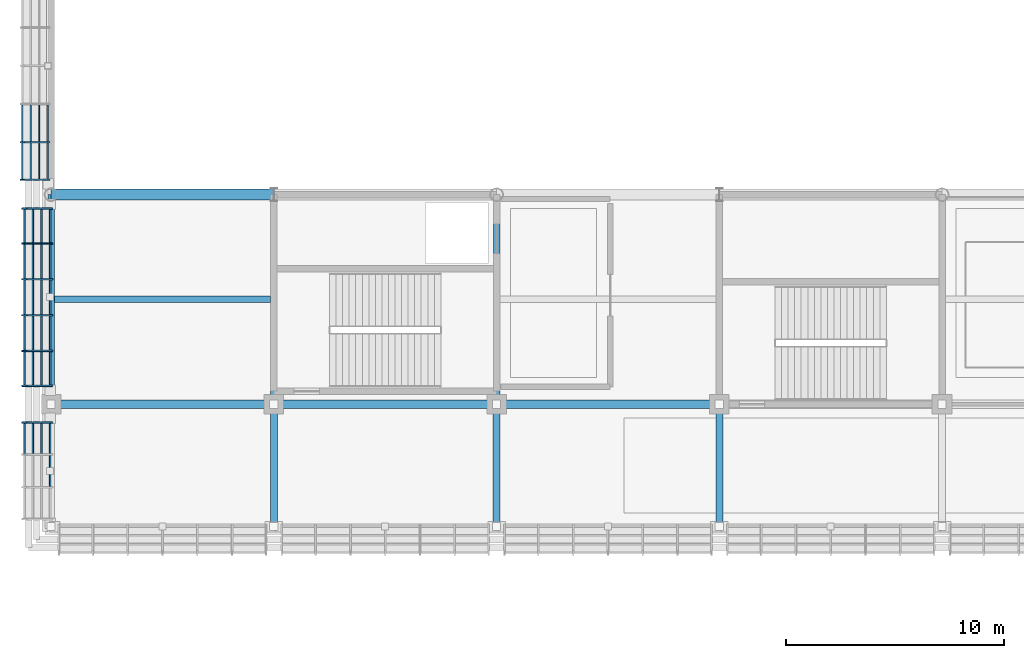
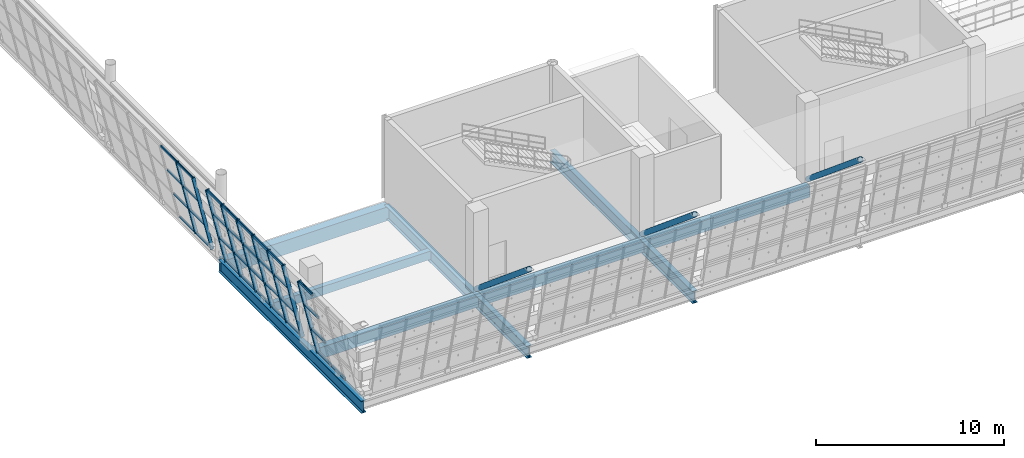
# One storey, part 23 of 175: 45 members, 8 beams, 3 elements without a shape of their own.
"""IFC4 building model written with IfcOpenShell, lengths in metres."""

from ifc_helpers import new_model, si_unit, direction, frame, origin, origin_2d, place, context, subcontext, project, spatial, rectangle, hollow_rectangle, hollow_circle, i_section, extrude, material, material_profile, profile_set, type_object, element, aggregate, save


model = new_model("IFC4")

# Units and contexts
model_context = context("Model", 3, precision=1e-05, world=origin(), true_north=direction((0.0, 1.0)))
body_context = subcontext(model_context, "Body", "Model", "MODEL_VIEW")
ifc_project = project(units=[si_unit("LENGTHUNIT", "METRE"), si_unit("AREAUNIT", "SQUARE_METRE"), si_unit("VOLUMEUNIT", "CUBIC_METRE"), si_unit("PLANEANGLEUNIT", "RADIAN"), si_unit("MASSUNIT", "GRAM", prefix="KILO")], contexts=[model_context])

# Site, building, storey
site_placement = place(None, origin())
site = spatial("IfcSite", under=ifc_project, at=site_placement, CompositionType="ELEMENT")
building_placement = place(site_placement, origin())
building = spatial("IfcBuilding", under=site, at=building_placement, Name="Brelvane Convention Centre", CompositionType="ELEMENT")
storey_placement = place(building_placement, frame((0.0, 0.0, 5.39990234375)))
storey = spatial("IfcBuildingStorey", under=building, at=storey_placement, Name="L01", CompositionType="ELEMENT", Elevation=5.39990234375)

# Curtain wall, member
ifc_material_1 = material(Name="Anodised Aluminium Alloy 6063-T6", Category="aluminium")
curtain_wall_type = type_object("IfcCurtainWallType", Name="Curtain Wall CW-HULL-S", PredefinedType="USERDEFINED", material=ifc_material_1)
curtain_wall_1_placement = place(storey_placement, origin())
curtain_wall_1 = element("IfcCurtainWall", 1, at=curtain_wall_1_placement, inside=storey, type_object=curtain_wall_type, Name="Curtain Wall CW-HULL-S L01-HULL-W-GAL-L01-A", ObjectType="UNITISED", PredefinedType="USERDEFINED")
ifc_material_2 = material(Name="Anodised Aluminium Alloy 6063-T6", Category="aluminium")
ifc_material_profile_1 = material_profile(ifc_material_2, hollow_rectangle(XDim=0.080078125, YDim=0.239990234375, WallThickness=0.006103515625, InnerFilletRadius=0.006103515625, OuterFilletRadius=0.011962890625, at=origin_2d()), Name="ALU-M 240x80x6.0")
ifc_profile_set_1 = profile_set([ifc_material_profile_1], Name="Anodised Aluminium Alloy 6063-T6")
member_type_1 = type_object("IfcMemberType", Name="Curtain Mullion CW-M1", PredefinedType="MULLION", material=ifc_profile_set_1)
member_1_placement = place(storey_placement, frame((-0.0400390625, 18.360107421875, 0.0), z_axis=(-0.228329922226, 0.0, 0.973583815917), x_axis=(0.0, -1.0, 0.0)))
member_1 = element("IfcMember", 2, at=member_1_placement, type_object=member_type_1, Name="CW-HULL-S mullion 4", PredefinedType="MULLION", context=body_context, shape_type="SweptSolid", body=[
    extrude(hollow_rectangle(XDim=0.080078125, YDim=0.239990234375, WallThickness=0.006103515625, InnerFilletRadius=0.006103515625, OuterFilletRadius=0.011962890625, at=origin_2d()), origin(), (0.0, 0.0, 1.0), 5.218017578125),
])

# Curtain wall, members
curtain_wall_2_placement = place(storey_placement, origin())
curtain_wall_2 = element("IfcCurtainWall", 3, at=curtain_wall_2_placement, inside=storey, type_object=curtain_wall_type, Name="Curtain Wall CW-HULL-S L01-HULL-W-GAL-L01-B", ObjectType="UNITISED", PredefinedType="USERDEFINED")
member_2_placement = place(storey_placement, frame((-0.0400390625, 20.0400390625, 0.0), z_axis=(-0.228329922226, 0.0, 0.973583815917), x_axis=(0.0, -1.0, 0.0)))
member_2 = element("IfcMember", 4, at=member_2_placement, type_object=member_type_1, Name="CW-HULL-S mullion 1", PredefinedType="MULLION", context=body_context, shape_type="SweptSolid", body=[
    extrude(hollow_rectangle(XDim=0.080078125, YDim=0.239990234375, WallThickness=0.006103515625, InnerFilletRadius=0.006103515625, OuterFilletRadius=0.011962890625, at=origin_2d()), origin(), (0.0, 0.0, 1.0), 5.218017578125),
])
member_3_placement = place(storey_placement, frame((-0.0400390625, 21.639892578125, 0.0), z_axis=(-0.228329922226, 0.0, 0.973583815917), x_axis=(0.0, -1.0, 0.0)))
member_3 = element("IfcMember", 5, at=member_3_placement, type_object=member_type_1, Name="CW-HULL-S mullion 2", PredefinedType="MULLION", context=body_context, shape_type="SweptSolid", body=[
    extrude(hollow_rectangle(XDim=0.080078125, YDim=0.239990234375, WallThickness=0.006103515625, InnerFilletRadius=0.006103515625, OuterFilletRadius=0.011962890625, at=origin_2d()), origin(), (0.0, 0.0, 1.0), 5.218017578125),
])
member_4_placement = place(storey_placement, frame((-0.0400390625, 23.280029296875, 0.0), z_axis=(-0.228329922226, 0.0, 0.973583815917), x_axis=(0.0, -1.0, 0.0)))
member_4 = element("IfcMember", 6, at=member_4_placement, type_object=member_type_1, Name="CW-HULL-S mullion 3", PredefinedType="MULLION", context=body_context, shape_type="SweptSolid", body=[
    extrude(hollow_rectangle(XDim=0.080078125, YDim=0.239990234375, WallThickness=0.006103515625, InnerFilletRadius=0.006103515625, OuterFilletRadius=0.011962890625, at=origin_2d()), origin(), (0.0, 0.0, 1.0), 5.218017578125),
])
member_5_placement = place(storey_placement, frame((-0.0400390625, 24.919921875, 0.0), z_axis=(-0.228329922226, 0.0, 0.973583815917), x_axis=(0.0, -1.0, 0.0)))
member_5 = element("IfcMember", 7, at=member_5_placement, type_object=member_type_1, Name="CW-HULL-S mullion 4", PredefinedType="MULLION", context=body_context, shape_type="SweptSolid", body=[
    extrude(hollow_rectangle(XDim=0.080078125, YDim=0.239990234375, WallThickness=0.006103515625, InnerFilletRadius=0.006103515625, OuterFilletRadius=0.011962890625, at=origin_2d()), origin(), (0.0, 0.0, 1.0), 5.218017578125),
])
member_6_placement = place(storey_placement, frame((-0.0400390625, 26.56005859375, 0.0), z_axis=(-0.228329922226, 0.0, 0.973583815917), x_axis=(0.0, -1.0, 0.0)))
member_6 = element("IfcMember", 8, at=member_6_placement, type_object=member_type_1, Name="CW-HULL-S mullion 5", PredefinedType="MULLION", context=body_context, shape_type="SweptSolid", body=[
    extrude(hollow_rectangle(XDim=0.080078125, YDim=0.239990234375, WallThickness=0.006103515625, InnerFilletRadius=0.006103515625, OuterFilletRadius=0.011962890625, at=origin_2d()), origin(), (0.0, 0.0, 1.0), 5.218017578125),
])
member_7_placement = place(storey_placement, frame((-0.0400390625, 28.159912109375, 0.0), z_axis=(-0.228329922226, 0.0, 0.973583815917), x_axis=(0.0, -1.0, 0.0)))
member_7 = element("IfcMember", 9, at=member_7_placement, type_object=member_type_1, Name="CW-HULL-S mullion 6", PredefinedType="MULLION", context=body_context, shape_type="SweptSolid", body=[
    extrude(hollow_rectangle(XDim=0.080078125, YDim=0.239990234375, WallThickness=0.006103515625, InnerFilletRadius=0.006103515625, OuterFilletRadius=0.011962890625, at=origin_2d()), origin(), (0.0, 0.0, 1.0), 5.218017578125),
])

curtain_wall_3_placement = place(storey_placement, origin())
curtain_wall_3 = element("IfcCurtainWall", 10, at=curtain_wall_3_placement, inside=storey, type_object=curtain_wall_type, Name="Curtain Wall CW-HULL-S L01-HULL-W-L01-1", ObjectType="UNITISED", PredefinedType="USERDEFINED")
ifc_material_3 = material(Name="Anodised Aluminium Alloy 6063-T6", Category="aluminium")
ifc_material_profile_2 = material_profile(ifc_material_3, hollow_rectangle(XDim=0.074951171875, YDim=0.199951171875, WallThickness=0.0048828125, InnerFilletRadius=0.0048828125, OuterFilletRadius=0.010009765625, at=origin_2d()), Name="ALU-M 200x75x5.0")
ifc_profile_set_2 = profile_set([ifc_material_profile_2], Name="Anodised Aluminium Alloy 6063-T6")
member_type_2 = type_object("IfcMemberType", Name="Curtain Mullion CW-M2", PredefinedType="MULLION", material=ifc_profile_set_2)
member_8_placement = place(storey_placement, frame((-0.139892578125, 29.487548828125, 0.02001953125), z_axis=(-0.228384734386, 0.0, 0.973570959458), x_axis=(0.0, -1.0, 0.0)))
member_8 = element("IfcMember", 11, at=member_8_placement, type_object=member_type_2, Name="CW-HULL-S mullion 1", PredefinedType="MULLION", context=body_context, shape_type="SweptSolid", body=[
    extrude(hollow_rectangle(XDim=0.074951171875, YDim=0.199951171875, WallThickness=0.0048828125, InnerFilletRadius=0.0048828125, OuterFilletRadius=0.010009765625, at=origin_2d()), origin(), (0.0, 0.0, 1.0), 5.197509765625),
])
member_9_placement = place(storey_placement, frame((-0.139892578125, 31.199951171875, 0.02001953125), z_axis=(-0.228384734386, 0.0, 0.973570959458), x_axis=(0.0, -1.0, 0.0)))
member_9 = element("IfcMember", 12, at=member_9_placement, type_object=member_type_2, Name="CW-HULL-S mullion 2", PredefinedType="MULLION", context=body_context, shape_type="SweptSolid", body=[
    extrude(hollow_rectangle(XDim=0.074951171875, YDim=0.199951171875, WallThickness=0.0048828125, InnerFilletRadius=0.0048828125, OuterFilletRadius=0.010009765625, at=origin_2d()), origin(), (0.0, 0.0, 1.0), 5.197509765625),
])

# Member
ifc_material_4 = material(Name="Anodised Aluminium Alloy 6063-T6", Category="aluminium")
ifc_material_profile_3 = material_profile(ifc_material_4, hollow_rectangle(XDim=0.080078125, YDim=0.179931640625, WallThickness=0.0048828125, InnerFilletRadius=0.0048828125, OuterFilletRadius=0.010009765625, at=origin_2d()), Name="ALU-T 180x80x5.0")
ifc_profile_set_3 = profile_set([ifc_material_profile_3], Name="Anodised Aluminium Alloy 6063-T6")
member_type_3 = type_object("IfcMemberType", Name="Curtain Transom CW-T1", PredefinedType="USERDEFINED", material=ifc_profile_set_3)
member_10_placement = place(storey_placement, frame((-0.04931640625, 15.43994140625, 0.0400390625), z_axis=(0.0, 1.0, 0.0), x_axis=(-1.0, 0.0, 0.0)))
member_10 = element("IfcMember", 13, at=member_10_placement, type_object=member_type_3, Name="CW-HULL-S transom 2.1", ObjectType="TRANSOM", PredefinedType="USERDEFINED", context=body_context, shape_type="SweptSolid", body=[
    extrude(hollow_rectangle(XDim=0.080078125, YDim=0.179931640625, WallThickness=0.0048828125, InnerFilletRadius=0.0048828125, OuterFilletRadius=0.010009765625, at=origin_2d()), origin(), (0.0, 0.0, 1.0), 1.420166015625),
])

member_11_placement = place(storey_placement, frame((-0.04931640625, 16.93994140625, 0.0400390625), z_axis=(0.0, 1.0, 0.0), x_axis=(-1.0, 0.0, 0.0)))
member_11 = element("IfcMember", 14, at=member_11_placement, type_object=member_type_3, Name="CW-HULL-S transom 3.1", ObjectType="TRANSOM", PredefinedType="USERDEFINED", context=body_context, shape_type="SweptSolid", body=[
    extrude(hollow_rectangle(XDim=0.080078125, YDim=0.179931640625, WallThickness=0.0048828125, InnerFilletRadius=0.0048828125, OuterFilletRadius=0.010009765625, at=origin_2d()), origin(), (0.0, 0.0, 1.0), 1.380126953125),
])

member_12_placement = place(storey_placement, frame((-0.437255859375, 16.93994140625, 1.693359375), z_axis=(0.0, 1.0, 0.0), x_axis=(-1.0, 0.0, 0.0)))
member_12 = element("IfcMember", 15, at=member_12_placement, type_object=member_type_3, Name="CW-HULL-S transom 3.2", ObjectType="TRANSOM", PredefinedType="USERDEFINED", context=body_context, shape_type="SweptSolid", body=[
    extrude(hollow_rectangle(XDim=0.080078125, YDim=0.179931640625, WallThickness=0.0048828125, InnerFilletRadius=0.0048828125, OuterFilletRadius=0.010009765625, at=origin_2d()), origin(), (0.0, 0.0, 1.0), 1.380126953125),
])

member_13_placement = place(storey_placement, frame((-0.834228515625, 16.93994140625, 3.38671875), z_axis=(0.0, 1.0, 0.0), x_axis=(-1.0, 0.0, 0.0)))
member_13 = element("IfcMember", 16, at=member_13_placement, type_object=member_type_3, Name="CW-HULL-S transom 3.3", ObjectType="TRANSOM", PredefinedType="USERDEFINED", context=body_context, shape_type="SweptSolid", body=[
    extrude(hollow_rectangle(XDim=0.080078125, YDim=0.179931640625, WallThickness=0.0048828125, InnerFilletRadius=0.0048828125, OuterFilletRadius=0.010009765625, at=origin_2d()), origin(), (0.0, 0.0, 1.0), 1.380126953125),
])

member_14_placement = place(storey_placement, frame((-1.22216796875, 16.93994140625, 5.0400390625), z_axis=(0.0, 1.0, 0.0), x_axis=(-1.0, 0.0, 0.0)))
member_14 = element("IfcMember", 17, at=member_14_placement, type_object=member_type_3, Name="CW-HULL-S transom 3.4", ObjectType="TRANSOM", PredefinedType="USERDEFINED", context=body_context, shape_type="SweptSolid", body=[
    extrude(hollow_rectangle(XDim=0.080078125, YDim=0.179931640625, WallThickness=0.0048828125, InnerFilletRadius=0.0048828125, OuterFilletRadius=0.010009765625, at=origin_2d()), origin(), (0.0, 0.0, 1.0), 1.380126953125),
])

aggregate(curtain_wall_1, [member_1, member_10, member_11, member_12, member_13, member_14])

member_15_placement = place(storey_placement, frame((-0.04931640625, 20.080078125, 0.0400390625), z_axis=(0.0, 1.0, 0.0), x_axis=(-1.0, 0.0, 0.0)))
member_15 = element("IfcMember", 18, at=member_15_placement, type_object=member_type_3, Name="CW-HULL-S transom 1.1", ObjectType="TRANSOM", PredefinedType="USERDEFINED", context=body_context, shape_type="SweptSolid", body=[
    extrude(hollow_rectangle(XDim=0.080078125, YDim=0.179931640625, WallThickness=0.0048828125, InnerFilletRadius=0.0048828125, OuterFilletRadius=0.010009765625, at=origin_2d()), origin(), (0.0, 0.0, 1.0), 1.52001953125),
])

member_16_placement = place(storey_placement, frame((-0.437255859375, 20.080078125, 1.693359375), z_axis=(0.0, 1.0, 0.0), x_axis=(-1.0, 0.0, 0.0)))
member_16 = element("IfcMember", 19, at=member_16_placement, type_object=member_type_3, Name="CW-HULL-S transom 1.2", ObjectType="TRANSOM", PredefinedType="USERDEFINED", context=body_context, shape_type="SweptSolid", body=[
    extrude(hollow_rectangle(XDim=0.080078125, YDim=0.179931640625, WallThickness=0.0048828125, InnerFilletRadius=0.0048828125, OuterFilletRadius=0.010009765625, at=origin_2d()), origin(), (0.0, 0.0, 1.0), 1.52001953125),
])

member_17_placement = place(storey_placement, frame((-0.834228515625, 20.080078125, 3.38671875), z_axis=(0.0, 1.0, 0.0), x_axis=(-1.0, 0.0, 0.0)))
member_17 = element("IfcMember", 20, at=member_17_placement, type_object=member_type_3, Name="CW-HULL-S transom 1.3", ObjectType="TRANSOM", PredefinedType="USERDEFINED", context=body_context, shape_type="SweptSolid", body=[
    extrude(hollow_rectangle(XDim=0.080078125, YDim=0.179931640625, WallThickness=0.0048828125, InnerFilletRadius=0.0048828125, OuterFilletRadius=0.010009765625, at=origin_2d()), origin(), (0.0, 0.0, 1.0), 1.52001953125),
])

member_18_placement = place(storey_placement, frame((-1.22216796875, 20.080078125, 5.0400390625), z_axis=(0.0, 1.0, 0.0), x_axis=(-1.0, 0.0, 0.0)))
member_18 = element("IfcMember", 21, at=member_18_placement, type_object=member_type_3, Name="CW-HULL-S transom 1.4", ObjectType="TRANSOM", PredefinedType="USERDEFINED", context=body_context, shape_type="SweptSolid", body=[
    extrude(hollow_rectangle(XDim=0.080078125, YDim=0.179931640625, WallThickness=0.0048828125, InnerFilletRadius=0.0048828125, OuterFilletRadius=0.010009765625, at=origin_2d()), origin(), (0.0, 0.0, 1.0), 1.52001953125),
])

member_19_placement = place(storey_placement, frame((-0.04931640625, 21.679931640625, 0.0400390625), z_axis=(0.0, 1.0, 0.0), x_axis=(-1.0, 0.0, 0.0)))
member_19 = element("IfcMember", 22, at=member_19_placement, type_object=member_type_3, Name="CW-HULL-S transom 2.1", ObjectType="TRANSOM", PredefinedType="USERDEFINED", context=body_context, shape_type="SweptSolid", body=[
    extrude(hollow_rectangle(XDim=0.080078125, YDim=0.179931640625, WallThickness=0.0048828125, InnerFilletRadius=0.0048828125, OuterFilletRadius=0.010009765625, at=origin_2d()), origin(), (0.0, 0.0, 1.0), 1.56005859375),
])

member_20_placement = place(storey_placement, frame((-0.437255859375, 21.679931640625, 1.693359375), z_axis=(0.0, 1.0, 0.0), x_axis=(-1.0, 0.0, 0.0)))
member_20 = element("IfcMember", 23, at=member_20_placement, type_object=member_type_3, Name="CW-HULL-S transom 2.2", ObjectType="TRANSOM", PredefinedType="USERDEFINED", context=body_context, shape_type="SweptSolid", body=[
    extrude(hollow_rectangle(XDim=0.080078125, YDim=0.179931640625, WallThickness=0.0048828125, InnerFilletRadius=0.0048828125, OuterFilletRadius=0.010009765625, at=origin_2d()), origin(), (0.0, 0.0, 1.0), 1.56005859375),
])

member_21_placement = place(storey_placement, frame((-0.834228515625, 21.679931640625, 3.38671875), z_axis=(0.0, 1.0, 0.0), x_axis=(-1.0, 0.0, 0.0)))
member_21 = element("IfcMember", 24, at=member_21_placement, type_object=member_type_3, Name="CW-HULL-S transom 2.3", ObjectType="TRANSOM", PredefinedType="USERDEFINED", context=body_context, shape_type="SweptSolid", body=[
    extrude(hollow_rectangle(XDim=0.080078125, YDim=0.179931640625, WallThickness=0.0048828125, InnerFilletRadius=0.0048828125, OuterFilletRadius=0.010009765625, at=origin_2d()), origin(), (0.0, 0.0, 1.0), 1.56005859375),
])

member_22_placement = place(storey_placement, frame((-1.22216796875, 21.679931640625, 5.0400390625), z_axis=(0.0, 1.0, 0.0), x_axis=(-1.0, 0.0, 0.0)))
member_22 = element("IfcMember", 25, at=member_22_placement, type_object=member_type_3, Name="CW-HULL-S transom 2.4", ObjectType="TRANSOM", PredefinedType="USERDEFINED", context=body_context, shape_type="SweptSolid", body=[
    extrude(hollow_rectangle(XDim=0.080078125, YDim=0.179931640625, WallThickness=0.0048828125, InnerFilletRadius=0.0048828125, OuterFilletRadius=0.010009765625, at=origin_2d()), origin(), (0.0, 0.0, 1.0), 1.56005859375),
])

member_23_placement = place(storey_placement, frame((-0.04931640625, 23.320068359375, 0.0400390625), z_axis=(0.0, 1.0, 0.0), x_axis=(-1.0, 0.0, 0.0)))
member_23 = element("IfcMember", 26, at=member_23_placement, type_object=member_type_3, Name="CW-HULL-S transom 3.1", ObjectType="TRANSOM", PredefinedType="USERDEFINED", context=body_context, shape_type="SweptSolid", body=[
    extrude(hollow_rectangle(XDim=0.080078125, YDim=0.179931640625, WallThickness=0.0048828125, InnerFilletRadius=0.0048828125, OuterFilletRadius=0.010009765625, at=origin_2d()), origin(), (0.0, 0.0, 1.0), 1.559814453125),
])

member_24_placement = place(storey_placement, frame((-0.437255859375, 23.320068359375, 1.693359375), z_axis=(0.0, 1.0, 0.0), x_axis=(-1.0, 0.0, 0.0)))
member_24 = element("IfcMember", 27, at=member_24_placement, type_object=member_type_3, Name="CW-HULL-S transom 3.2", ObjectType="TRANSOM", PredefinedType="USERDEFINED", context=body_context, shape_type="SweptSolid", body=[
    extrude(hollow_rectangle(XDim=0.080078125, YDim=0.179931640625, WallThickness=0.0048828125, InnerFilletRadius=0.0048828125, OuterFilletRadius=0.010009765625, at=origin_2d()), origin(), (0.0, 0.0, 1.0), 1.559814453125),
])

member_25_placement = place(storey_placement, frame((-0.834228515625, 23.320068359375, 3.38671875), z_axis=(0.0, 1.0, 0.0), x_axis=(-1.0, 0.0, 0.0)))
member_25 = element("IfcMember", 28, at=member_25_placement, type_object=member_type_3, Name="CW-HULL-S transom 3.3", ObjectType="TRANSOM", PredefinedType="USERDEFINED", context=body_context, shape_type="SweptSolid", body=[
    extrude(hollow_rectangle(XDim=0.080078125, YDim=0.179931640625, WallThickness=0.0048828125, InnerFilletRadius=0.0048828125, OuterFilletRadius=0.010009765625, at=origin_2d()), origin(), (0.0, 0.0, 1.0), 1.559814453125),
])

member_26_placement = place(storey_placement, frame((-1.22216796875, 23.320068359375, 5.0400390625), z_axis=(0.0, 1.0, 0.0), x_axis=(-1.0, 0.0, 0.0)))
member_26 = element("IfcMember", 29, at=member_26_placement, type_object=member_type_3, Name="CW-HULL-S transom 3.4", ObjectType="TRANSOM", PredefinedType="USERDEFINED", context=body_context, shape_type="SweptSolid", body=[
    extrude(hollow_rectangle(XDim=0.080078125, YDim=0.179931640625, WallThickness=0.0048828125, InnerFilletRadius=0.0048828125, OuterFilletRadius=0.010009765625, at=origin_2d()), origin(), (0.0, 0.0, 1.0), 1.559814453125),
])

member_27_placement = place(storey_placement, frame((-0.04931640625, 24.9599609375, 0.0400390625), z_axis=(0.0, 1.0, 0.0), x_axis=(-1.0, 0.0, 0.0)))
member_27 = element("IfcMember", 30, at=member_27_placement, type_object=member_type_3, Name="CW-HULL-S transom 4.1", ObjectType="TRANSOM", PredefinedType="USERDEFINED", context=body_context, shape_type="SweptSolid", body=[
    extrude(hollow_rectangle(XDim=0.080078125, YDim=0.179931640625, WallThickness=0.0048828125, InnerFilletRadius=0.0048828125, OuterFilletRadius=0.010009765625, at=origin_2d()), origin(), (0.0, 0.0, 1.0), 1.56005859375),
])

member_28_placement = place(storey_placement, frame((-0.437255859375, 24.9599609375, 1.693359375), z_axis=(0.0, 1.0, 0.0), x_axis=(-1.0, 0.0, 0.0)))
member_28 = element("IfcMember", 31, at=member_28_placement, type_object=member_type_3, Name="CW-HULL-S transom 4.2", ObjectType="TRANSOM", PredefinedType="USERDEFINED", context=body_context, shape_type="SweptSolid", body=[
    extrude(hollow_rectangle(XDim=0.080078125, YDim=0.179931640625, WallThickness=0.0048828125, InnerFilletRadius=0.0048828125, OuterFilletRadius=0.010009765625, at=origin_2d()), origin(), (0.0, 0.0, 1.0), 1.56005859375),
])

member_29_placement = place(storey_placement, frame((-0.834228515625, 24.9599609375, 3.38671875), z_axis=(0.0, 1.0, 0.0), x_axis=(-1.0, 0.0, 0.0)))
member_29 = element("IfcMember", 32, at=member_29_placement, type_object=member_type_3, Name="CW-HULL-S transom 4.3", ObjectType="TRANSOM", PredefinedType="USERDEFINED", context=body_context, shape_type="SweptSolid", body=[
    extrude(hollow_rectangle(XDim=0.080078125, YDim=0.179931640625, WallThickness=0.0048828125, InnerFilletRadius=0.0048828125, OuterFilletRadius=0.010009765625, at=origin_2d()), origin(), (0.0, 0.0, 1.0), 1.56005859375),
])

member_30_placement = place(storey_placement, frame((-1.22216796875, 24.9599609375, 5.0400390625), z_axis=(0.0, 1.0, 0.0), x_axis=(-1.0, 0.0, 0.0)))
member_30 = element("IfcMember", 33, at=member_30_placement, type_object=member_type_3, Name="CW-HULL-S transom 4.4", ObjectType="TRANSOM", PredefinedType="USERDEFINED", context=body_context, shape_type="SweptSolid", body=[
    extrude(hollow_rectangle(XDim=0.080078125, YDim=0.179931640625, WallThickness=0.0048828125, InnerFilletRadius=0.0048828125, OuterFilletRadius=0.010009765625, at=origin_2d()), origin(), (0.0, 0.0, 1.0), 1.56005859375),
])

member_31_placement = place(storey_placement, frame((-0.04931640625, 26.60009765625, 0.0400390625), z_axis=(0.0, 1.0, 0.0), x_axis=(-1.0, 0.0, 0.0)))
member_31 = element("IfcMember", 34, at=member_31_placement, type_object=member_type_3, Name="CW-HULL-S transom 5.1", ObjectType="TRANSOM", PredefinedType="USERDEFINED", context=body_context, shape_type="SweptSolid", body=[
    extrude(hollow_rectangle(XDim=0.080078125, YDim=0.179931640625, WallThickness=0.0048828125, InnerFilletRadius=0.0048828125, OuterFilletRadius=0.010009765625, at=origin_2d()), origin(), (0.0, 0.0, 1.0), 1.52001953125),
])

member_32_placement = place(storey_placement, frame((-0.437255859375, 26.60009765625, 1.693359375), z_axis=(0.0, 1.0, 0.0), x_axis=(-1.0, 0.0, 0.0)))
member_32 = element("IfcMember", 35, at=member_32_placement, type_object=member_type_3, Name="CW-HULL-S transom 5.2", ObjectType="TRANSOM", PredefinedType="USERDEFINED", context=body_context, shape_type="SweptSolid", body=[
    extrude(hollow_rectangle(XDim=0.080078125, YDim=0.179931640625, WallThickness=0.0048828125, InnerFilletRadius=0.0048828125, OuterFilletRadius=0.010009765625, at=origin_2d()), origin(), (0.0, 0.0, 1.0), 1.52001953125),
])

member_33_placement = place(storey_placement, frame((-0.834228515625, 26.60009765625, 3.38671875), z_axis=(0.0, 1.0, 0.0), x_axis=(-1.0, 0.0, 0.0)))
member_33 = element("IfcMember", 36, at=member_33_placement, type_object=member_type_3, Name="CW-HULL-S transom 5.3", ObjectType="TRANSOM", PredefinedType="USERDEFINED", context=body_context, shape_type="SweptSolid", body=[
    extrude(hollow_rectangle(XDim=0.080078125, YDim=0.179931640625, WallThickness=0.0048828125, InnerFilletRadius=0.0048828125, OuterFilletRadius=0.010009765625, at=origin_2d()), origin(), (0.0, 0.0, 1.0), 1.52001953125),
])

member_34_placement = place(storey_placement, frame((-1.22216796875, 26.60009765625, 5.0400390625), z_axis=(0.0, 1.0, 0.0), x_axis=(-1.0, 0.0, 0.0)))
member_34 = element("IfcMember", 37, at=member_34_placement, type_object=member_type_3, Name="CW-HULL-S transom 5.4", ObjectType="TRANSOM", PredefinedType="USERDEFINED", context=body_context, shape_type="SweptSolid", body=[
    extrude(hollow_rectangle(XDim=0.080078125, YDim=0.179931640625, WallThickness=0.0048828125, InnerFilletRadius=0.0048828125, OuterFilletRadius=0.010009765625, at=origin_2d()), origin(), (0.0, 0.0, 1.0), 1.52001953125),
])

aggregate(curtain_wall_2, [member_2, member_3, member_4, member_5, member_6, member_7, member_15, member_16, member_17, member_18, member_19, member_20, member_21, member_22, member_23, member_24, member_25, member_26, member_27, member_28, member_29, member_30, member_31, member_32, member_33, member_34])

ifc_material_5 = material(Name="Anodised Aluminium Alloy 6063-T6", Category="aluminium")
ifc_material_profile_4 = material_profile(ifc_material_5, hollow_rectangle(XDim=0.070068359375, YDim=0.14990234375, WallThickness=0.00439453125, InnerFilletRadius=0.00439453125, OuterFilletRadius=0.009033203125, at=origin_2d()), Name="ALU-T 150x70x4.5")
ifc_profile_set_4 = profile_set([ifc_material_profile_4], Name="Anodised Aluminium Alloy 6063-T6")
member_type_4 = type_object("IfcMemberType", Name="Curtain Transom CW-T2", PredefinedType="USERDEFINED", material=ifc_profile_set_4)
member_35_placement = place(storey_placement, frame((-0.148193359375, 29.52490234375, 0.05517578125), z_axis=(0.0, 1.0, 0.0), x_axis=(-1.0, 0.0, 0.0)))
member_35 = element("IfcMember", 38, at=member_35_placement, type_object=member_type_4, Name="CW-HULL-S transom 1.1", ObjectType="TRANSOM", PredefinedType="USERDEFINED", context=body_context, shape_type="SweptSolid", body=[
    extrude(hollow_rectangle(XDim=0.070068359375, YDim=0.14990234375, WallThickness=0.00439453125, InnerFilletRadius=0.00439453125, OuterFilletRadius=0.009033203125, at=origin_2d()), origin(), (0.0, 0.0, 1.0), 1.6376953125),
])

member_36_placement = place(storey_placement, frame((-0.53564453125, 29.52490234375, 1.706787109375), z_axis=(0.0, 1.0, 0.0), x_axis=(-1.0, 0.0, 0.0)))
member_36 = element("IfcMember", 39, at=member_36_placement, type_object=member_type_4, Name="CW-HULL-S transom 1.2", ObjectType="TRANSOM", PredefinedType="USERDEFINED", context=body_context, shape_type="SweptSolid", body=[
    extrude(hollow_rectangle(XDim=0.070068359375, YDim=0.14990234375, WallThickness=0.00439453125, InnerFilletRadius=0.00439453125, OuterFilletRadius=0.009033203125, at=origin_2d()), origin(), (0.0, 0.0, 1.0), 1.6376953125),
])

member_37_placement = place(storey_placement, frame((-0.93115234375, 29.52490234375, 3.393310546875), z_axis=(0.0, 1.0, 0.0), x_axis=(-1.0, 0.0, 0.0)))
member_37 = element("IfcMember", 40, at=member_37_placement, type_object=member_type_4, Name="CW-HULL-S transom 1.3", ObjectType="TRANSOM", PredefinedType="USERDEFINED", context=body_context, shape_type="SweptSolid", body=[
    extrude(hollow_rectangle(XDim=0.070068359375, YDim=0.14990234375, WallThickness=0.00439453125, InnerFilletRadius=0.00439453125, OuterFilletRadius=0.009033203125, at=origin_2d()), origin(), (0.0, 0.0, 1.0), 1.6376953125),
])

member_38_placement = place(storey_placement, frame((-1.318603515625, 29.52490234375, 5.045166015625), z_axis=(0.0, 1.0, 0.0), x_axis=(-1.0, 0.0, 0.0)))
member_38 = element("IfcMember", 41, at=member_38_placement, type_object=member_type_4, Name="CW-HULL-S transom 1.4", ObjectType="TRANSOM", PredefinedType="USERDEFINED", context=body_context, shape_type="SweptSolid", body=[
    extrude(hollow_rectangle(XDim=0.070068359375, YDim=0.14990234375, WallThickness=0.00439453125, InnerFilletRadius=0.00439453125, OuterFilletRadius=0.009033203125, at=origin_2d()), origin(), (0.0, 0.0, 1.0), 1.6376953125),
])

member_39_placement = place(storey_placement, frame((-0.148193359375, 31.237548828125, 0.05517578125), z_axis=(0.0, 1.0, 0.0), x_axis=(-1.0, 0.0, 0.0)))
member_39 = element("IfcMember", 42, at=member_39_placement, type_object=member_type_4, Name="CW-HULL-S transom 2.1", ObjectType="TRANSOM", PredefinedType="USERDEFINED", context=body_context, shape_type="SweptSolid", body=[
    extrude(hollow_rectangle(XDim=0.070068359375, YDim=0.14990234375, WallThickness=0.00439453125, InnerFilletRadius=0.00439453125, OuterFilletRadius=0.009033203125, at=origin_2d()), origin(), (0.0, 0.0, 1.0), 1.675048828125),
])

member_40_placement = place(storey_placement, frame((-0.53564453125, 31.237548828125, 1.706787109375), z_axis=(0.0, 1.0, 0.0), x_axis=(-1.0, 0.0, 0.0)))
member_40 = element("IfcMember", 43, at=member_40_placement, type_object=member_type_4, Name="CW-HULL-S transom 2.2", ObjectType="TRANSOM", PredefinedType="USERDEFINED", context=body_context, shape_type="SweptSolid", body=[
    extrude(hollow_rectangle(XDim=0.070068359375, YDim=0.14990234375, WallThickness=0.00439453125, InnerFilletRadius=0.00439453125, OuterFilletRadius=0.009033203125, at=origin_2d()), origin(), (0.0, 0.0, 1.0), 1.675048828125),
])

member_41_placement = place(storey_placement, frame((-0.93115234375, 31.237548828125, 3.393310546875), z_axis=(0.0, 1.0, 0.0), x_axis=(-1.0, 0.0, 0.0)))
member_41 = element("IfcMember", 44, at=member_41_placement, type_object=member_type_4, Name="CW-HULL-S transom 2.3", ObjectType="TRANSOM", PredefinedType="USERDEFINED", context=body_context, shape_type="SweptSolid", body=[
    extrude(hollow_rectangle(XDim=0.070068359375, YDim=0.14990234375, WallThickness=0.00439453125, InnerFilletRadius=0.00439453125, OuterFilletRadius=0.009033203125, at=origin_2d()), origin(), (0.0, 0.0, 1.0), 1.675048828125),
])

member_42_placement = place(storey_placement, frame((-1.318603515625, 31.237548828125, 5.045166015625), z_axis=(0.0, 1.0, 0.0), x_axis=(-1.0, 0.0, 0.0)))
member_42 = element("IfcMember", 45, at=member_42_placement, type_object=member_type_4, Name="CW-HULL-S transom 2.4", ObjectType="TRANSOM", PredefinedType="USERDEFINED", context=body_context, shape_type="SweptSolid", body=[
    extrude(hollow_rectangle(XDim=0.070068359375, YDim=0.14990234375, WallThickness=0.00439453125, InnerFilletRadius=0.00439453125, OuterFilletRadius=0.009033203125, at=origin_2d()), origin(), (0.0, 0.0, 1.0), 1.675048828125),
])

aggregate(curtain_wall_3, [member_8, member_9, member_35, member_36, member_37, member_38, member_39, member_40, member_41, member_42])

# Beams
ifc_material_6 = material(Name="Concrete M40", Category="concrete")
ifc_material_profile_5 = material_profile(ifc_material_6, rectangle(XDim=0.5, YDim=0.89990234375, at=origin_2d()), Name="RC 500x900")
ifc_profile_set_5 = profile_set([ifc_material_profile_5], Name="Concrete M40")
beam_type_1 = type_object("IfcBeamType", Name="RC Beam B-RC4 (RC 500x900)", PredefinedType="BEAM", material=ifc_profile_set_5)
beam_1_placement = place(storey_placement, frame((0.0, 28.800048828125, -0.7099609375), z_axis=(1.0, 0.0, 0.0), x_axis=(0.0, 1.0, 0.0)))
element("IfcBeam", 46, at=beam_1_placement, inside=storey, type_object=beam_type_1, Name="L01 Beam 1-2/D", PredefinedType="BEAM", context=body_context, shape_type="SweptSolid", body=[
    extrude(rectangle(XDim=0.5, YDim=0.89990234375, at=origin_2d()), origin(), (0.0, 0.0, 1.0), 10.199951171875),
])
ifc_material_7 = material(Name="Concrete M40", Category="concrete")
ifc_material_profile_6 = material_profile(ifc_material_7, rectangle(XDim=0.300048828125, YDim=0.550048828125, at=origin_2d()), Name="RC 300x550")
ifc_profile_set_6 = profile_set([ifc_material_profile_6], Name="Concrete M40")
beam_type_2 = type_object("IfcBeamType", Name="RC Joist J-RC1 (RC 300x550)", PredefinedType="JOIST", material=ifc_profile_set_6)
beam_2_placement = place(storey_placement, frame((0.14990234375, 24.0, -0.534912109375), z_axis=(1.0, 0.0, 0.0), x_axis=(0.0, 1.0, 0.0)))
element("IfcBeam", 47, at=beam_2_placement, inside=storey, type_object=beam_type_2, Name="L01 Secondary Joist 1-2/CD", PredefinedType="JOIST", context=body_context, shape_type="SweptSolid", body=[
    extrude(rectangle(XDim=0.300048828125, YDim=0.550048828125, at=origin_2d()), origin(), (0.0, 0.0, 1.0), 9.900146484375),
])
ifc_material_8 = material(Name="Concrete M40", Category="concrete")
ifc_material_profile_7 = material_profile(ifc_material_8, rectangle(XDim=0.39990234375, YDim=0.75, at=origin_2d()), Name="RC 400x750")
ifc_profile_set_7 = profile_set([ifc_material_profile_7], Name="Concrete M40")
beam_type_3 = type_object("IfcBeamType", Name="RC Spandrel SP-RC1 (RC 400x750)", PredefinedType="SPANDREL", material=ifc_profile_set_7)
for number, where, z_axis, x_axis, name in (
    (48, (0.0, 19.199951171875, -0.635009765625), (1.0, 0.0, 0.0), (0.0, 1.0, 0.0), "L01 Beam 1-2/C"),
    (49, (10.199951171875, 19.199951171875, -0.635009765625), (1.0, 0.0, 0.0), (0.0, 1.0, 0.0), "L01 Beam 2-3/C"),
):
    element("IfcBeam", number, at=place(storey_placement, frame(where, z_axis=z_axis, x_axis=x_axis)), inside=storey, type_object=beam_type_3, Name=name, PredefinedType="SPANDREL", context=body_context, shape_type="SweptSolid", body=[
        extrude(rectangle(XDim=0.39990234375, YDim=0.75, at=origin_2d()), origin(), (0.0, 0.0, 1.0), 10.199951171875),
    ])
beam_3_placement = place(storey_placement, frame((20.39990234375, 19.199951171875, -0.635009765625), z_axis=(1.0, 0.0, 0.0), x_axis=(0.0, 1.0, 0.0)))
element("IfcBeam", 50, at=beam_3_placement, inside=storey, type_object=beam_type_3, Name="L01 Beam 3-4/C", PredefinedType="SPANDREL", context=body_context, shape_type="SweptSolid", body=[
    extrude(rectangle(XDim=0.39990234375, YDim=0.75, at=origin_2d()), origin(), (0.0, 0.0, 1.0), 10.2001953125),
])
ifc_material_9 = material(Name="Steel E450 (450 MPa)", Category="steel")
ifc_material_profile_8 = material_profile(ifc_material_9, i_section(OverallWidth=0.300048828125, OverallDepth=0.800048828125, WebThickness=0.015380859375, FlangeThickness=0.030029296875, FilletRadius=0.027099609375, at=origin_2d()), Name="NPB 800x300")
ifc_profile_set_8 = profile_set([ifc_material_profile_8], Name="Steel E450 (450 MPa)")
beam_type_4 = type_object("IfcBeamType", Name="Steel Beam B-ST2 (NPB 800x300)", PredefinedType="BEAM", material=ifc_profile_set_8)
for number, where, z_axis, x_axis, name in (
    (51, (0.0, 13.60009765625, -0.659912109375), (0.0, 1.0, 0.0), (-1.0, 0.0, 0.0), "L01 Hull Cantilever Girder 1"),
    (52, (10.199951171875, 13.60009765625, -0.659912109375), (0.0, 1.0, 0.0), (-1.0, 0.0, 0.0), "L01 Hull Cantilever Girder 2"),
    (53, (20.39990234375, 13.60009765625, -0.659912109375), (0.0, 1.0, 0.0), (-1.0, 0.0, 0.0), "L01 Hull Cantilever Girder 3"),
):
    element("IfcBeam", number, at=place(storey_placement, frame(where, z_axis=z_axis, x_axis=x_axis)), inside=storey, type_object=beam_type_4, Name=name, PredefinedType="BEAM", context=body_context, shape_type="SweptSolid", body=[
        extrude(i_section(OverallWidth=0.300048828125, OverallDepth=0.800048828125, WebThickness=0.015380859375, FlangeThickness=0.030029296875, FilletRadius=0.027099609375, at=origin_2d()), origin(), (0.0, 0.0, 1.0), 15.199951171875),
    ])

# Members
ifc_material_10 = material(Name="Steel E450 (450 MPa)", Category="steel")
ifc_material_profile_9 = material_profile(ifc_material_10, hollow_circle(Radius=0.161865234375, WallThickness=0.012451171875, at=origin_2d()), Name="CHS 323.9x12.5")
ifc_profile_set_9 = profile_set([ifc_material_profile_9], Name="Steel E450 (450 MPa)")
member_type_5 = type_object("IfcMemberType", Name="Steel Strut HS-ST2 (CHS 323.9x12.5)", PredefinedType="STRUT", material=ifc_profile_set_9)
for number, where, z_axis, x_axis, name in (
    (54, (10.199951171875, 19.199951171875, 0.050048828125), (0.0, -0.767976969641, 0.640477457918), (1.0, 0.0, 0.0), "Hull Overhang Raked Strut L01 V1-2"),
    (55, (20.39990234375, 19.199951171875, 0.050048828125), (0.0, -0.767976969641, 0.640477457918), (1.0, 0.0, 0.0), "Hull Overhang Raked Strut L01 V1-3"),
    (56, (30.60009765625, 19.199951171875, 0.050048828125), (0.0, -0.767976969641, 0.640477457918), (1.0, 0.0, 0.0), "Hull Overhang Raked Strut L01 V1-4"),
):
    element("IfcMember", number, at=place(storey_placement, frame(where, z_axis=z_axis, x_axis=x_axis)), inside=storey, type_object=member_type_5, Name=name, PredefinedType="STRUT", context=body_context, shape_type="SweptSolid", body=[
        extrude(hollow_circle(Radius=0.161865234375, WallThickness=0.012451171875, at=origin_2d()), origin(), (0.0, 0.0, 1.0), 7.291748046875),
    ])

save(model, "model.ifc")
